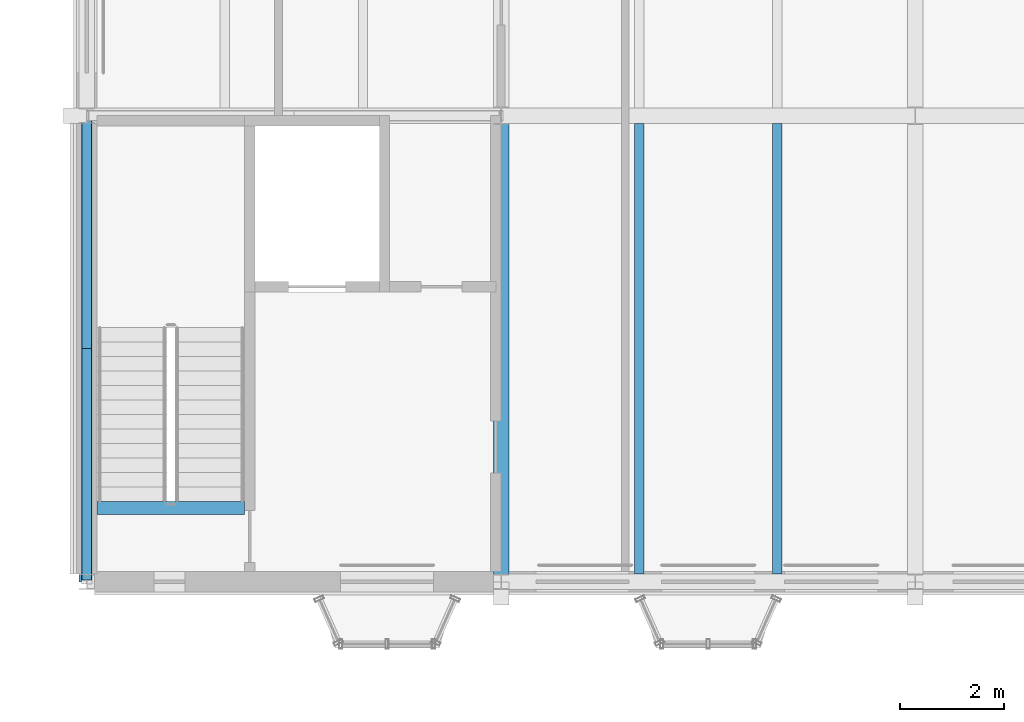
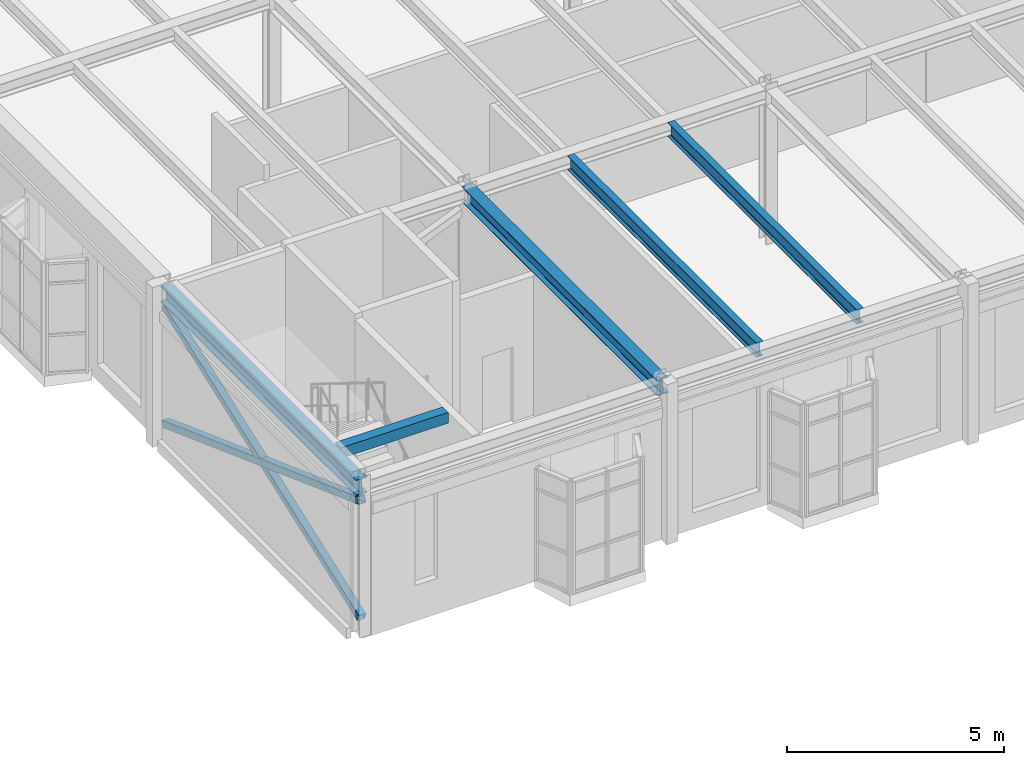
# One storey, part 48 of 153: 5 beams, 2 members.
"""IFC4 building model written with IfcOpenShell, lengths in metres."""

from ifc_helpers import new_model, si_unit, direction, frame, origin, origin_2d, place, context, subcontext, project, spatial, rectangle, hollow_rectangle, i_section, extrude, material, material_profile, profile_set, type_object, element, save


model = new_model("IFC4")

# Units and contexts
model_context = context("Model", 3, precision=1e-05, world=origin(), true_north=direction((0.0, 1.0)))
body_context = subcontext(model_context, "Body", "Model", "MODEL_VIEW")
ifc_project = project(units=[si_unit("LENGTHUNIT", "METRE"), si_unit("AREAUNIT", "SQUARE_METRE"), si_unit("VOLUMEUNIT", "CUBIC_METRE"), si_unit("PLANEANGLEUNIT", "RADIAN"), si_unit("MASSUNIT", "GRAM", prefix="KILO")], contexts=[model_context])

# Site, building, storey
site_placement = place(None, origin())
site = spatial("IfcSite", under=ifc_project, at=site_placement, CompositionType="ELEMENT")
building_placement = place(site_placement, origin())
building = spatial("IfcBuilding", under=site, at=building_placement, Name="Kallimachos Central Library", CompositionType="ELEMENT")
storey_placement = place(building_placement, frame((0.0, 0.0, 5.39990234375)))
storey = spatial("IfcBuildingStorey", under=building, at=storey_placement, Name="L01", CompositionType="ELEMENT", Elevation=5.39990234375)

# Beams
ifc_material_1 = material(Name="Steel S355J2", Category="steel")
ifc_material_profile_1 = material_profile(ifc_material_1, i_section(OverallWidth=0.300048828125, OverallDepth=0.43994140625, WebThickness=0.011474609375, FlangeThickness=0.02099609375, FilletRadius=0.027099609375, at=origin_2d()), Name="HEA 450")
ifc_profile_set_1 = profile_set([ifc_material_profile_1], Name="Steel S355J2")
beam_type_1 = type_object("IfcBeamType", Name="HEA 450 beam", PredefinedType="BEAM", material=ifc_profile_set_1)
for number, where, z_axis, x_axis, name in (
    (1, (6.0, 87.0, 4.130126953125), (0.0, 1.0, 0.0), (-1.0, 0.0, 0.0), "V2-BEM-L01-001"),
    (2, (14.0, 87.0, 4.130126953125), (0.0, 1.0, 0.0), (-1.0, 0.0, 0.0), "V2-BEM-L01-004"),
):
    element("IfcBeam", number, at=place(storey_placement, frame(where, z_axis=z_axis, x_axis=x_axis)), inside=storey, type_object=beam_type_1, Name=name, PredefinedType="BEAM", context=body_context, shape_type="SweptSolid", body=[
        extrude(i_section(OverallWidth=0.300048828125, OverallDepth=0.43994140625, WebThickness=0.011474609375, FlangeThickness=0.02099609375, FilletRadius=0.027099609375, at=origin_2d()), origin(), (0.0, 0.0, 1.0), 9.0),
    ])
ifc_material_2 = material(Name="Steel S355J2", Category="steel")
ifc_material_profile_2 = material_profile(ifc_material_2, i_section(OverallWidth=0.179931640625, OverallDepth=0.39990234375, WebThickness=0.008544921875, FlangeThickness=0.013427734375, FilletRadius=0.02099609375, at=origin_2d()), Name="IPE 400")
ifc_profile_set_2 = profile_set([ifc_material_profile_2], Name="Steel S355J2")
beam_type_2 = type_object("IfcBeamType", Name="IPE 400 beam", PredefinedType="BEAM", material=ifc_profile_set_2)
for number, where, z_axis, x_axis, name in (
    (3, (16.666748046875, 87.14990234375, 4.150146484375), (0.0, 1.0, 0.0), (-1.0, 0.0, 0.0), "V2-BEM-L01-036"),
    (4, (19.333251953125, 87.14990234375, 4.150146484375), (0.0, 1.0, 0.0), (-1.0, 0.0, 0.0), "V2-BEM-L01-037"),
):
    element("IfcBeam", number, at=place(storey_placement, frame(where, z_axis=z_axis, x_axis=x_axis)), inside=storey, type_object=beam_type_2, Name=name, PredefinedType="BEAM", context=body_context, shape_type="SweptSolid", body=[
        extrude(i_section(OverallWidth=0.179931640625, OverallDepth=0.39990234375, WebThickness=0.008544921875, FlangeThickness=0.013427734375, FilletRadius=0.02099609375, at=origin_2d()), origin(), (0.0, 0.0, 1.0), 8.7001953125),
    ])
ifc_material_3 = material(Name="Concrete C30/37", Category="concrete")
ifc_material_profile_3 = material_profile(ifc_material_3, rectangle(XDim=0.260009765625, YDim=0.300048828125, at=origin_2d()), Name="RC stair trimmer beam 260 x 300")
ifc_profile_set_3 = profile_set([ifc_material_profile_3], Name="Concrete C30/37")
beam_type_3 = type_object("IfcBeamType", Name="RC stair trimmer beam 260 x 300", PredefinedType="BEAM", material=ifc_profile_set_3)
beam_placement = place(storey_placement, frame((9.050048828125, 88.424072265625, 4.2001953125), z_axis=(-1.0, 0.0, 0.0), x_axis=(0.0, -1.0, 0.0)))
element("IfcBeam", 5, at=beam_placement, inside=storey, type_object=beam_type_3, Name="Stair trimmer beam ST5 L01", PredefinedType="BEAM", context=body_context, shape_type="SweptSolid", body=[
    extrude(rectangle(XDim=0.260009765625, YDim=0.300048828125, at=origin_2d()), origin(), (0.0, 0.0, 1.0), 2.85009765625),
])

# Members
ifc_material_4 = material(Name="Steel S355J2H", Category="steel")
ifc_material_profile_4 = material_profile(ifc_material_4, hollow_rectangle(XDim=0.199951171875, YDim=0.199951171875, WallThickness=0.010009765625, InnerFilletRadius=0.010009765625, OuterFilletRadius=0.014892578125, at=origin_2d()), Name="SHS 200x200x10")
ifc_profile_set_4 = profile_set([ifc_material_profile_4], Name="Steel S355J2H")
member_type = type_object("IfcMemberType", Name="SHS 200x200x10 brace", PredefinedType="BRACE", material=ifc_profile_set_4)
for number, where, z_axis, x_axis, name in (
    (6, (6.0, 87.0, 0.4501953125), (0.0, 0.938882901191, 0.344236688707), (-1.0, 0.0, 0.0), "V2-MEM-L01-001"),
    (7, (6.0, 87.0, 3.75), (0.0, 0.938882901191, -0.344236688707), (-1.0, 0.0, 0.0), "V2-MEM-L01-002"),
):
    element("IfcMember", number, at=place(storey_placement, frame(where, z_axis=z_axis, x_axis=x_axis)), inside=storey, type_object=member_type, Name=name, PredefinedType="BRACE", context=body_context, shape_type="SweptSolid", body=[
        extrude(hollow_rectangle(XDim=0.199951171875, YDim=0.199951171875, WallThickness=0.010009765625, InnerFilletRadius=0.010009765625, OuterFilletRadius=0.014892578125, at=origin_2d()), origin(), (0.0, 0.0, 1.0), 9.5859375),
    ])

save(model, "model.ifc")
